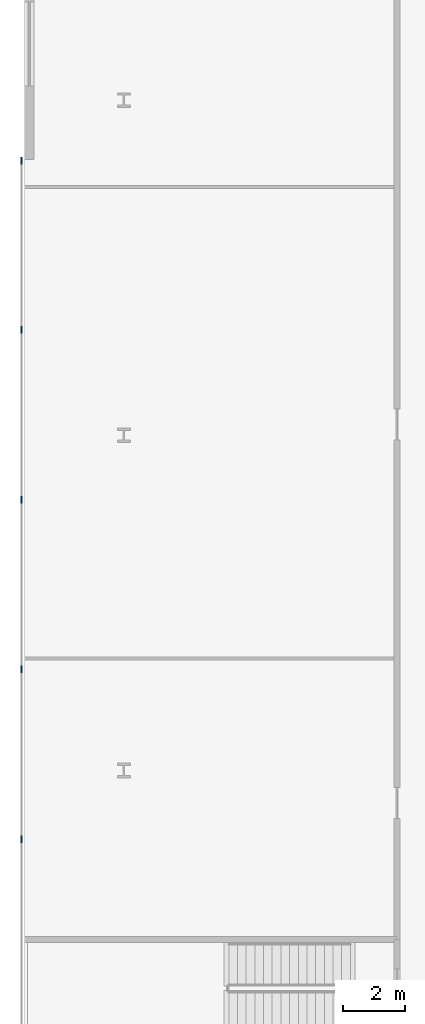
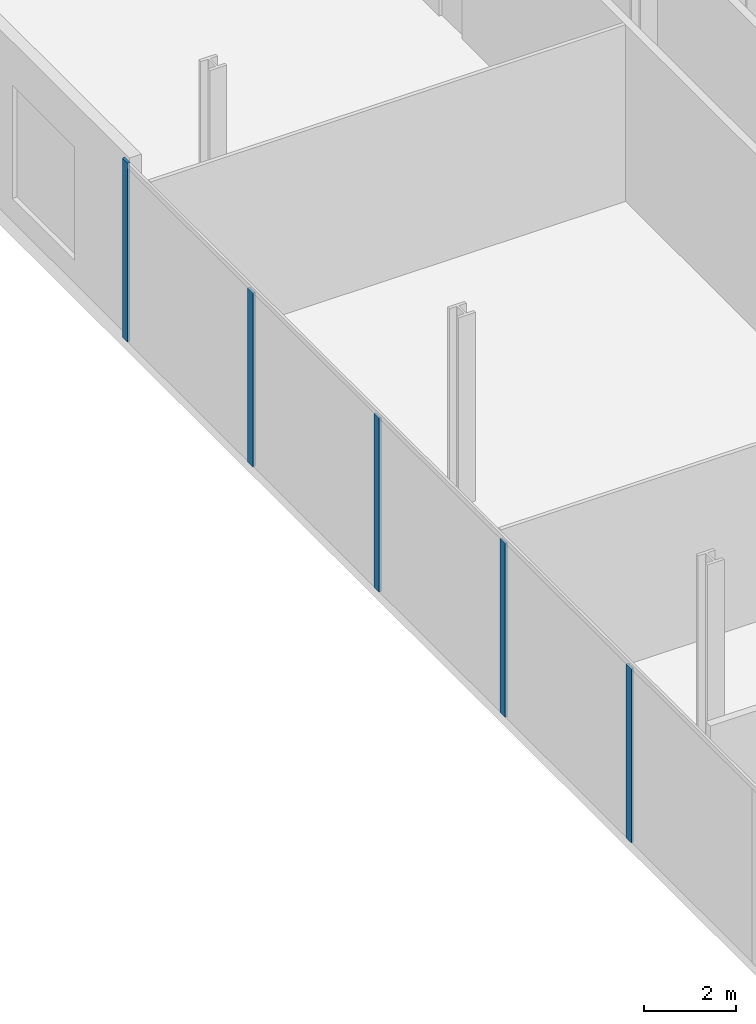
# One storey, part 8 of 47: 5 members, 1 element without a shape of its own.
"""IFC4 building model written with IfcOpenShell, lengths in metres."""

from ifc_helpers import new_model, si_unit, direction, frame, origin, origin_2d, place, context, subcontext, project, spatial, rectangle, extrude, material, layer, layer_set, material_profile, profile_set, type_object, element, aggregate, save


model = new_model("IFC4")

# Units and contexts
model_context = context("Model", 3, precision=1e-05, world=origin(), true_north=direction((0.0, 1.0)))
body_context = subcontext(model_context, "Body", "Model", "MODEL_VIEW")
ifc_project = project(units=[si_unit("LENGTHUNIT", "METRE"), si_unit("AREAUNIT", "SQUARE_METRE"), si_unit("VOLUMEUNIT", "CUBIC_METRE"), si_unit("PLANEANGLEUNIT", "RADIAN"), si_unit("MASSUNIT", "GRAM", prefix="KILO")], contexts=[model_context])

# Site, building, storey
site_placement = place(None, origin())
site = spatial("IfcSite", under=ifc_project, at=site_placement, CompositionType="ELEMENT")
building_placement = place(site_placement, origin())
building = spatial("IfcBuilding", under=site, at=building_placement, Name="Kheshtan School and Residences Tower", CompositionType="ELEMENT")
storey_placement = place(building_placement, frame((0.0, 0.0, 7.5)))
storey = spatial("IfcBuildingStorey", under=building, at=storey_placement, Name="L01", CompositionType="ELEMENT", Elevation=7.5)

# Curtain wall, members
ifc_material_1 = material(Name="Clear low-e glass in thermally broken aluminium frame", Category="aluminium")
ifc_layer = layer(ifc_material_1, 0.22509765625)
ifc_layer_set = layer_set([ifc_layer], Name="Curtain wall CW-P")
curtain_wall_type = type_object("IfcCurtainWallType", Name="Curtain wall CW-P", PredefinedType="NOTDEFINED", material=ifc_layer_set)
curtain_wall_placement = place(storey_placement, origin())
curtain_wall = element("IfcCurtainWall", 1, at=curtain_wall_placement, inside=storey, type_object=curtain_wall_type, Name="Curtain wall CWP16", PredefinedType="NOTDEFINED")
ifc_material_2 = material(Name="Thermally broken aluminium, dark bronze anodised", Category="aluminium")
ifc_material_profile = material_profile(ifc_material_2, rectangle(XDim=0.06005859375, YDim=0.22509765625, at=origin_2d()), Name="CW-P mullion 60x225")
ifc_profile_set = profile_set([ifc_material_profile], Name="Thermally broken aluminium, dark bronze anodised")
member_type = type_object("IfcMemberType", Name="CW-P mullion 60x225", PredefinedType="MULLION", material=ifc_profile_set)
member_1_placement = place(storey_placement, frame((11.89990234375, 43.377685546875, 0.0), z_axis=(0.0, 0.0, 1.0), x_axis=(-1.0, 0.0, 0.0)))
member_1 = element("IfcMember", 2, at=member_1_placement, type_object=member_type, Name="CWP16 mullion 6", PredefinedType="MULLION", context=body_context, shape_type="SweptSolid", body=[
    extrude(rectangle(XDim=0.06005859375, YDim=0.22509765625, at=origin_2d()), origin(), (0.0, 0.0, 1.0), 4.610107421875),
])
member_2_placement = place(storey_placement, frame((11.89990234375, 48.853271484375, 0.0), z_axis=(0.0, 0.0, 1.0), x_axis=(-1.0, 0.0, 0.0)))
member_2 = element("IfcMember", 3, at=member_2_placement, type_object=member_type, Name="CWP16 mullion 7", PredefinedType="MULLION", context=body_context, shape_type="SweptSolid", body=[
    extrude(rectangle(XDim=0.06005859375, YDim=0.22509765625, at=origin_2d()), origin(), (0.0, 0.0, 1.0), 4.610107421875),
])
member_3_placement = place(storey_placement, frame((11.89990234375, 54.328857421875, 0.0), z_axis=(0.0, 0.0, 1.0), x_axis=(-1.0, 0.0, 0.0)))
member_3 = element("IfcMember", 4, at=member_3_placement, type_object=member_type, Name="CWP16 mullion 8", PredefinedType="MULLION", context=body_context, shape_type="SweptSolid", body=[
    extrude(rectangle(XDim=0.06005859375, YDim=0.22509765625, at=origin_2d()), origin(), (0.0, 0.0, 1.0), 4.610107421875),
])
member_4_placement = place(storey_placement, frame((11.89990234375, 59.804443359375, 0.0), z_axis=(0.0, 0.0, 1.0), x_axis=(-1.0, 0.0, 0.0)))
member_4 = element("IfcMember", 5, at=member_4_placement, type_object=member_type, Name="CWP16 mullion 9", PredefinedType="MULLION", context=body_context, shape_type="SweptSolid", body=[
    extrude(rectangle(XDim=0.06005859375, YDim=0.22509765625, at=origin_2d()), origin(), (0.0, 0.0, 1.0), 4.610107421875),
])
member_5_placement = place(storey_placement, frame((11.89990234375, 65.25, 0.0), z_axis=(0.0, 0.0, 1.0), x_axis=(-1.0, 0.0, 0.0)))
member_5 = element("IfcMember", 6, at=member_5_placement, type_object=member_type, Name="CWP16 mullion 10", PredefinedType="MULLION", context=body_context, shape_type="SweptSolid", body=[
    extrude(rectangle(XDim=0.06005859375, YDim=0.22509765625, at=origin_2d()), origin(), (0.0, 0.0, 1.0), 4.75),
])
aggregate(curtain_wall, [member_1, member_2, member_3, member_4, member_5])

save(model, "model.ifc")
